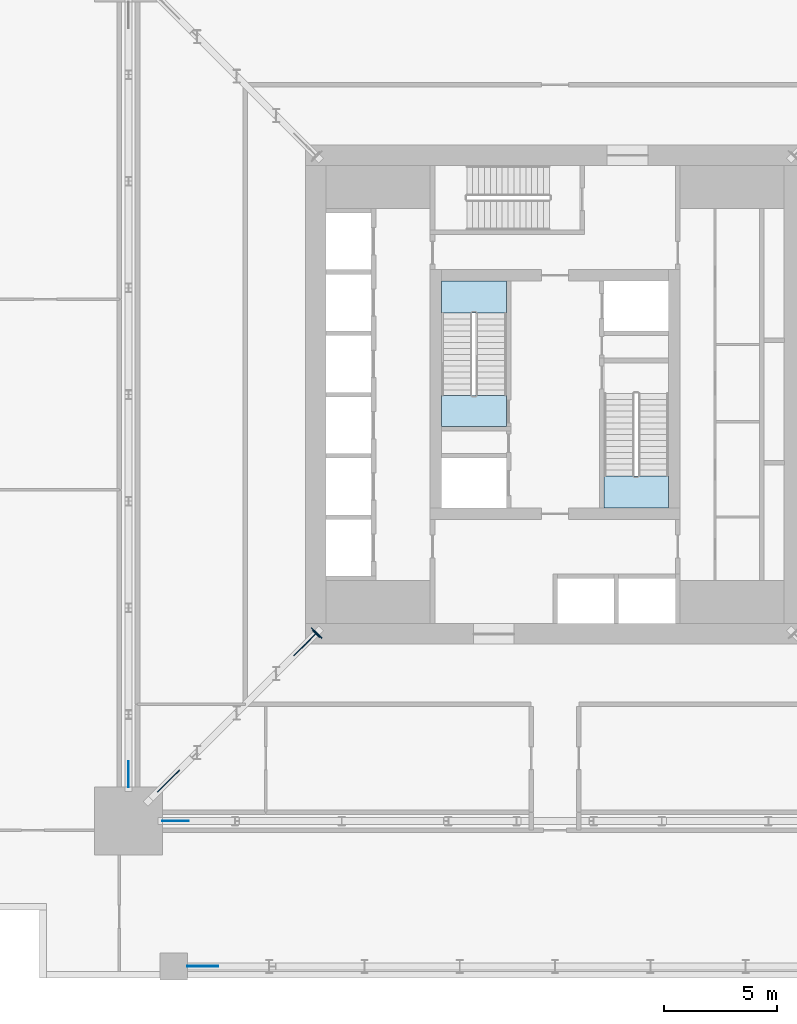
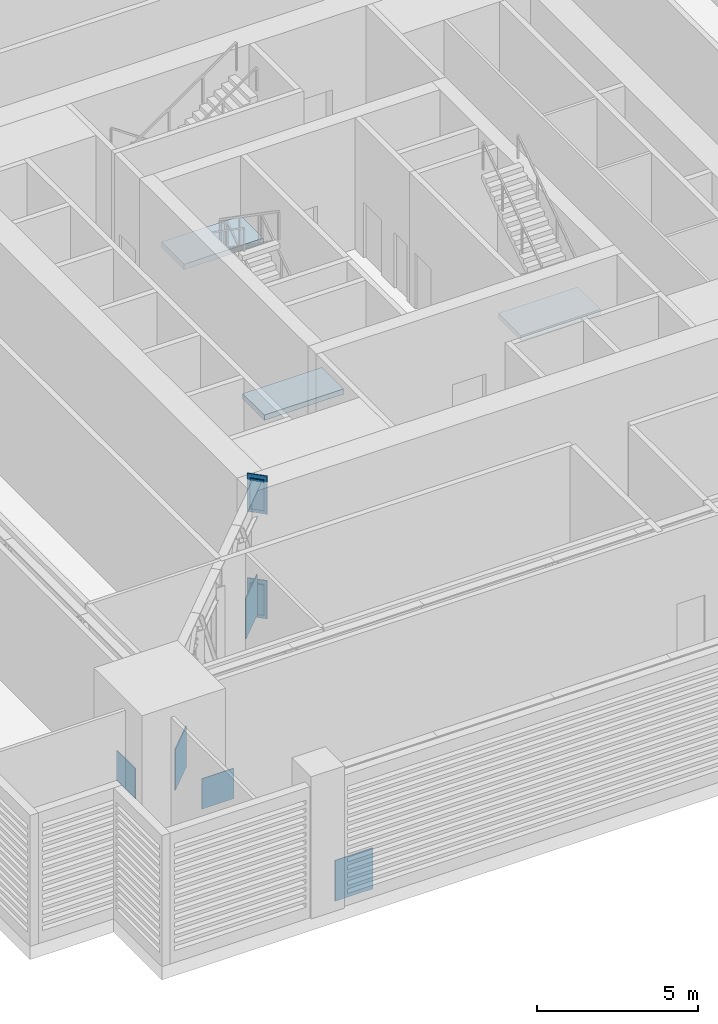
# One storey, part 5 of 17: 9 plates, 3 slabs, 2 elements without a shape of their own.
"""IFC4 building model written with IfcOpenShell, lengths in metres."""

from ifc_helpers import new_model, si_unit, direction, frame, origin, origin_2d, place, context, subcontext, project, spatial, polyline, rectangle, outline, extrude, material, layer, layer_set, type_object, element, aggregate, save


model = new_model("IFC4")

# Units and contexts
model_context = context("Model", 3, precision=1e-05, world=origin(), true_north=direction((0.0, 1.0)))
body_context = subcontext(model_context, "Body", "Model", "MODEL_VIEW")
ifc_project = project(units=[si_unit("LENGTHUNIT", "METRE"), si_unit("AREAUNIT", "SQUARE_METRE"), si_unit("VOLUMEUNIT", "CUBIC_METRE"), si_unit("PLANEANGLEUNIT", "RADIAN"), si_unit("MASSUNIT", "GRAM", prefix="KILO")], contexts=[model_context])

# Site, building, storey
site_placement = place(None, origin())
site = spatial("IfcSite", under=ifc_project, at=site_placement, CompositionType="ELEMENT")
building_placement = place(site_placement, origin())
building = spatial("IfcBuilding", under=site, at=building_placement, Name="Khepri Terraces", CompositionType="ELEMENT")
storey_placement = place(building_placement, frame((0.0, 0.0, 73.800048828125)))
storey = spatial("IfcBuildingStorey", under=building, at=storey_placement, Name="L17", CompositionType="ELEMENT", Elevation=73.800048828125)

# Plates
ifc_material_1 = material(Name="Steel S355", Category="steel")
ifc_layer_1 = layer(ifc_material_1, 0.034912109375, Name="Steel S355", Category="steel")
ifc_layer_set_1 = layer_set([ifc_layer_1], Name="Steel S355")
plate_type_1 = type_object("IfcPlateType", Name="Cast-in plate 1450x650x35", PredefinedType="USERDEFINED", material=ifc_layer_set_1)
for number, where, z_axis, x_axis, name in (
    (1, (-10.50927734375, -10.50927734375, -0.22119140625), (0.0, 0.0, 1.0), (-0.707106781187, -0.707106781187, 0.0), "CAST-IN PLATE OT-17-WS BOT wall A"),
    (2, (-10.50927734375, -10.50927734375, 3.7509765625), (0.0, 0.0, 1.0), (-0.707106781187, -0.707106781187, 0.0), "CAST-IN PLATE OT-17-WS TOP wall A"),
):
    element("IfcPlate", number, at=place(storey_placement, frame(where, z_axis=z_axis, x_axis=x_axis)), inside=storey, type_object=plate_type_1, Name=name, ObjectType="CAST-IN PLATE", PredefinedType="USERDEFINED", context=body_context, shape_type="SweptSolid", body=[
        extrude(rectangle(XDim=0.034912109375, YDim=0.64990234375, at=origin_2d()), origin(), (0.0, 0.0, 1.0), 1.449951171875),
    ])
ifc_layer_2 = layer(ifc_material_1, 0.0400390625, Name="Steel S355", Category="steel")
ifc_layer_set_2 = layer_set([ifc_layer_2], Name="Steel S355")
plate_type_2 = type_object("IfcPlateType", Name="End plate 1150x450x40", PredefinedType="USERDEFINED", material=ifc_layer_set_2)
for number, where, z_axis, x_axis, name in (
    (3, (-10.535888671875, -10.535888671875, -0.071044921875), (0.0, 0.0, 1.0), (-0.707106781187, -0.707106781187, 0.0), "END PLATE OT-17-WS BOT end A"),
    (4, (-10.535888671875, -10.535888671875, 3.90087890625), (0.0, 0.0, 1.0), (-0.707106781187, -0.707106781187, 0.0), "END PLATE OT-17-WS TOP end A"),
):
    element("IfcPlate", number, at=place(storey_placement, frame(where, z_axis=z_axis, x_axis=x_axis)), inside=storey, type_object=plate_type_2, Name=name, ObjectType="END PLATE", PredefinedType="USERDEFINED", context=body_context, shape_type="SweptSolid", body=[
        extrude(rectangle(XDim=0.0400390625, YDim=0.449951171875, at=origin_2d()), origin(), (0.0, 0.0, 1.0), 1.14990234375),
    ])
ifc_layer_3 = layer(ifc_material_1, 0.030029296875, Name="Steel S355", Category="steel")
ifc_layer_set_3 = layer_set([ifc_layer_3], Name="Steel S355")
plate_type_3 = type_object("IfcPlateType", Name="Gusset plate 1150x1150x30", PredefinedType="USERDEFINED", material=ifc_layer_set_3)
for number, where, z_axis, x_axis, name in (
    (5, (-16.72509765625, -18.800048828125, -0.10009765625), (0.0, 0.0, 1.0), (1.0, 0.0, 0.0), "GUSSET PLATE BT-17-S column node A"),
    (6, (-18.800048828125, -16.72509765625, -0.10009765625), (0.0, 0.0, 1.0), (0.0, -1.0, 0.0), "GUSSET PLATE BT-17-W column node B"),
):
    element("IfcPlate", number, at=place(storey_placement, frame(where, z_axis=z_axis, x_axis=x_axis)), inside=storey, type_object=plate_type_3, Name=name, ObjectType="GUSSET PLATE", PredefinedType="USERDEFINED", context=body_context, shape_type="SweptSolid", body=[
        extrude(rectangle(XDim=1.14990234375, YDim=0.030029296875, at=origin_2d()), origin(), (0.0, 0.0, 1.0), 1.14990234375),
    ])
ifc_layer_4 = layer(ifc_material_1, 0.034912109375, Name="Steel S355", Category="steel")
ifc_layer_set_4 = layer_set([ifc_layer_4], Name="Steel S355")
plate_type_4 = type_object("IfcPlateType", Name="Gusset plate 1350x1550x35", PredefinedType="USERDEFINED", material=ifc_layer_set_4)
for number, where, z_axis, x_axis, name in (
    (7, (-11.02734375, -11.02734375, -0.10009765625), (0.0, 0.0, 1.0), (-0.707106781187, -0.707106781187, 0.0), "GUSSET PLATE OT-17-WS node A"),
    (8, (-17.034912109375, -17.034912109375, -0.10009765625), (0.0, 0.0, 1.0), (-0.707106781187, -0.707106781187, 0.0), "GUSSET PLATE OT-17-WS column node B"),
    (9, (-15.52490234375, -25.199951171875, -0.10009765625), (0.0, 0.0, 1.0), (1.0, 0.0, 0.0), "GUSSET PLATE TT-17-S column node A"),
):
    element("IfcPlate", number, at=place(storey_placement, frame(where, z_axis=z_axis, x_axis=x_axis)), inside=storey, type_object=plate_type_4, Name=name, ObjectType="GUSSET PLATE", PredefinedType="USERDEFINED", context=body_context, shape_type="SweptSolid", body=[
        extrude(rectangle(XDim=1.35009765625, YDim=0.034912109375, at=origin_2d()), origin(), (0.0, 0.0, 1.0), 1.550048828125),
    ])

# Stair, slabs
ifc_material_2 = material(Name="Concrete C40/50", Category="concrete")
stair_type = type_object("IfcStairType", Name="STAIR-RC-30R", PredefinedType="HALF_TURN_STAIR", material=ifc_material_2)
stair_1_placement = place(storey_placement, origin())
stair_1 = element("IfcStair", 10, at=stair_1_placement, inside=storey, type_object=stair_type, Name="L17 Exit Stair ST-1", PredefinedType="HALF_TURN_STAIR")
ifc_layer_5 = layer(ifc_material_2, 0.199951171875, Name="Concrete C40/50", Category="concrete")
ifc_layer_set_5 = layer_set([ifc_layer_5], Name="Concrete C40/50")
slab_type = type_object("IfcSlabType", Name="SLB-CORE-LANDING", PredefinedType="LANDING", material=ifc_layer_set_5)
slab_1_placement = place(storey_placement, frame((0.0, 0.0, -0.199951171875)))
slab_1 = element("IfcSlab", 11, at=slab_1_placement, type_object=slab_type, Name="ST-1 landing 1", PredefinedType="LANDING", context=body_context, shape_type="SweptSolid", body=[
    extrude(outline(polyline([(-2.14990234375, -1.39990234375), (-2.14990234375, -0.050048828125), (-5.0, -0.050048828125), (-5.0, -1.39990234375), (-2.14990234375, -1.39990234375)])), origin(), (0.0, 0.0, 1.0), 0.199951171875),
])
slab_2_placement = place(storey_placement, frame((0.0, 0.0, 2.5)))
slab_2 = element("IfcSlab", 12, at=slab_2_placement, type_object=slab_type, Name="ST-1 landing 2", PredefinedType="LANDING", context=body_context, shape_type="SweptSolid", body=[
    extrude(outline(polyline([(-2.14990234375, 3.590087890625), (-2.14990234375, 5.0), (-5.0, 5.0), (-5.0, 3.590087890625), (-2.14990234375, 3.590087890625)])), origin(), (0.0, 0.0, 1.0), 0.199951171875),
])
aggregate(stair_1, [slab_1, slab_2])

# Stair, slab
stair_2_placement = place(storey_placement, origin())
stair_2 = element("IfcStair", 13, at=stair_2_placement, inside=storey, type_object=stair_type, Name="L17 Exit Stair ST-2", PredefinedType="HALF_TURN_STAIR")
slab_3_placement = place(storey_placement, frame((0.0, 0.0, 2.5)))
slab_3 = element("IfcSlab", 14, at=slab_3_placement, type_object=slab_type, Name="ST-2 landing 2", PredefinedType="LANDING", context=body_context, shape_type="SweptSolid", body=[
    extrude(outline(polyline([(2.14990234375, -3.590087890625), (2.14990234375, -5.0), (5.0, -5.0), (5.0, -3.590087890625), (2.14990234375, -3.590087890625)])), origin(), (0.0, 0.0, 1.0), 0.199951171875),
])
aggregate(stair_2, [slab_3])

save(model, "model.ifc")
